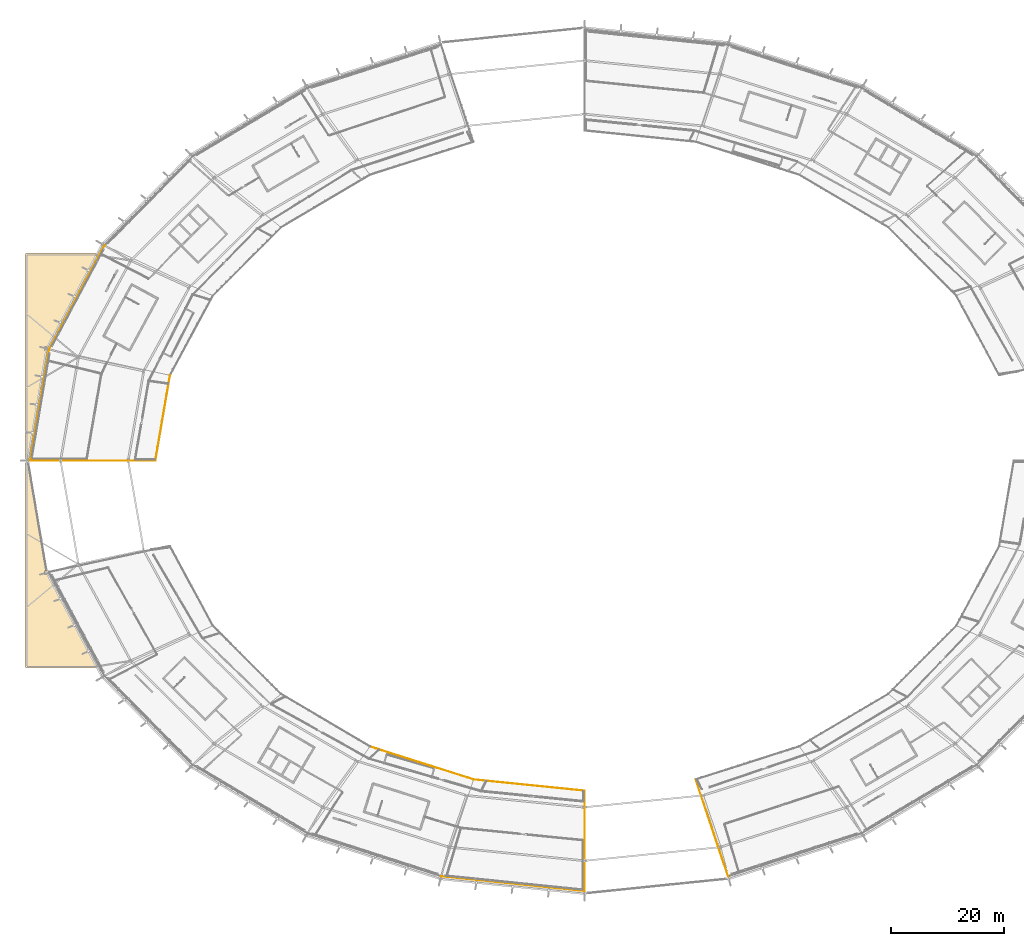
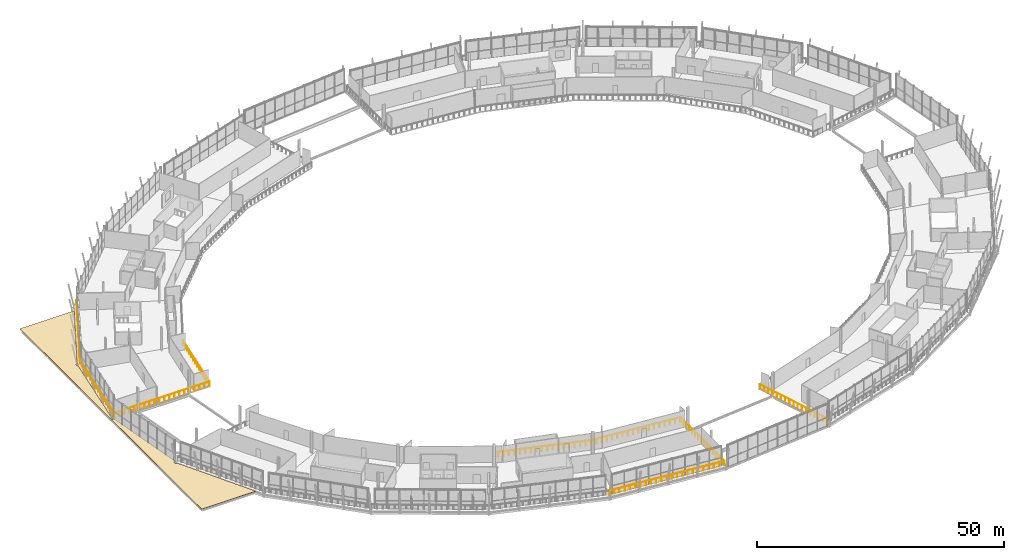
# One storey, part 94 of 99: 9 railings, 1 covering, 1 element without a shape of its own.
"""IFC4 building model written with IfcOpenShell, lengths in metres."""

from ifc_helpers import new_model, si_unit, direction, frame, origin, origin_2d, place, context, subcontext, project, spatial, polyline, rectangle, outline, extrude, material, layer, layer_set, type_object, element, aggregate, save


model = new_model("IFC4")

# Units and contexts
model_context = context("Model", 3, precision=1e-05, world=origin(), true_north=direction((0.0, 1.0)))
body_context = subcontext(model_context, "Body", "Model", "MODEL_VIEW")
ifc_project = project(units=[si_unit("LENGTHUNIT", "METRE"), si_unit("AREAUNIT", "SQUARE_METRE"), si_unit("VOLUMEUNIT", "CUBIC_METRE"), si_unit("PLANEANGLEUNIT", "RADIAN"), si_unit("MASSUNIT", "GRAM", prefix="KILO")], contexts=[model_context])

# Site, building, storey
site_placement = place(None, origin())
site = spatial("IfcSite", under=ifc_project, at=site_placement, CompositionType="ELEMENT")
building_placement = place(site_placement, origin())
building = spatial("IfcBuilding", under=site, at=building_placement, Name="Zlatoyarsky Gate Stadium", CompositionType="ELEMENT")
storey_placement = place(building_placement, frame((0.0, 0.0, 26.199951171875)))
storey = spatial("IfcBuildingStorey", under=building, at=storey_placement, Name="L05", CompositionType="ELEMENT", Elevation=26.199951171875)

# Railings
ifc_material_1 = material(Name="Powder-coated steel tubular guardrail", Category="steel")
railing_type = type_object("IfcRailingType", Name="CONCOURSE SLAB EDGE GUARDRAIL 1200", PredefinedType="GUARDRAIL", material=ifc_material_1)
railing_1_placement = place(storey_placement, frame((37.415771484375, 95.16162109375, 0.0)))
element("IfcRailing", 1, at=railing_1_placement, inside=storey, type_object=railing_type, Name="L05 inner bowl edge guardrail 11", PredefinedType="GUARDRAIL", context=body_context, shape_type="SweptSolid", body=[
    extrude(rectangle(XDim=0.048095703125, YDim=0.048095703125, at=origin_2d()), frame((0.0, 0.0, 1.17578125), z_axis=(-0.168747070892, -0.985659386434, 0.0), x_axis=(0.985659386434, -0.168747070892, 0.0)), (0.0, 0.0, 1.0), 15.38232421875),
    extrude(rectangle(XDim=0.0419921875, YDim=0.0419921875, at=origin_2d()), origin(), (0.0, 0.0, 1.0), 1.15185546875),
    extrude(rectangle(XDim=0.0419921875, YDim=0.0419921875, at=origin_2d()), frame((-0.19970703125, -1.166259765625, 0.0)), (0.0, 0.0, 1.0), 1.15185546875),
    extrude(rectangle(XDim=0.0419921875, YDim=0.0419921875, at=origin_2d()), frame((-0.3994140625, -2.33251953125, 0.0)), (0.0, 0.0, 1.0), 1.15185546875),
    extrude(rectangle(XDim=0.0419921875, YDim=0.0419921875, at=origin_2d()), frame((-0.59912109375, -3.498779296875, 0.0)), (0.0, 0.0, 1.0), 1.15185546875),
    extrude(rectangle(XDim=0.0419921875, YDim=0.0419921875, at=origin_2d()), frame((-0.798583984375, -4.6650390625, 0.0)), (0.0, 0.0, 1.0), 1.15185546875),
    extrude(rectangle(XDim=0.0419921875, YDim=0.0419921875, at=origin_2d()), frame((-0.998291015625, -5.831298828125, 0.0)), (0.0, 0.0, 1.0), 1.15185546875),
    extrude(rectangle(XDim=0.0419921875, YDim=0.0419921875, at=origin_2d()), frame((-1.197998046875, -6.99755859375, 0.0)), (0.0, 0.0, 1.0), 1.15185546875),
    extrude(rectangle(XDim=0.0419921875, YDim=0.0419921875, at=origin_2d()), frame((-1.397705078125, -8.1640625, 0.0)), (0.0, 0.0, 1.0), 1.15185546875),
    extrude(rectangle(XDim=0.0419921875, YDim=0.0419921875, at=origin_2d()), frame((-1.597412109375, -9.330322265625, 0.0)), (0.0, 0.0, 1.0), 1.15185546875),
    extrude(rectangle(XDim=0.0419921875, YDim=0.0419921875, at=origin_2d()), frame((-1.797119140625, -10.49658203125, 0.0)), (0.0, 0.0, 1.0), 1.15185546875),
    extrude(rectangle(XDim=0.0419921875, YDim=0.0419921875, at=origin_2d()), frame((-1.99658203125, -11.662841796875, 0.0)), (0.0, 0.0, 1.0), 1.15185546875),
    extrude(rectangle(XDim=0.0419921875, YDim=0.0419921875, at=origin_2d()), frame((-2.1962890625, -12.8291015625, 0.0)), (0.0, 0.0, 1.0), 1.15185546875),
    extrude(rectangle(XDim=0.0419921875, YDim=0.0419921875, at=origin_2d()), frame((-2.39599609375, -13.995361328125, 0.0)), (0.0, 0.0, 1.0), 1.15185546875),
    extrude(rectangle(XDim=0.0419921875, YDim=0.0419921875, at=origin_2d()), frame((-2.595703125, -15.16162109375, 0.0)), (0.0, 0.0, 1.0), 1.15185546875),
])
railing_2_placement = place(storey_placement, frame((72.909912109375, 29.268310546875, 0.0)))
element("IfcRailing", 2, at=railing_2_placement, inside=storey, type_object=railing_type, Name="L05 inner bowl edge guardrail 16", PredefinedType="GUARDRAIL", context=body_context, shape_type="SweptSolid", body=[
    extrude(rectangle(XDim=0.048095703125, YDim=0.048095703125, at=origin_2d()), frame((0.0, 0.0, 1.17578125), z_axis=(0.952832118887, -0.303497863612, 0.0), x_axis=(0.303497863612, 0.952832118887, 0.0)), (0.0, 0.0, 1.0), 19.28271484375),
    extrude(rectangle(XDim=0.0419921875, YDim=0.0419921875, at=origin_2d()), origin(), (0.0, 0.0, 1.0), 1.15185546875),
    extrude(rectangle(XDim=0.0419921875, YDim=0.0419921875, at=origin_2d()), frame((1.080810546875, -0.34423828125, 0.0)), (0.0, 0.0, 1.0), 1.15185546875),
    extrude(rectangle(XDim=0.0419921875, YDim=0.0419921875, at=origin_2d()), frame((2.16162109375, -0.6884765625, 0.0)), (0.0, 0.0, 1.0), 1.15185546875),
    extrude(rectangle(XDim=0.0419921875, YDim=0.0419921875, at=origin_2d()), frame((3.242431640625, -1.03271484375, 0.0)), (0.0, 0.0, 1.0), 1.15185546875),
    extrude(rectangle(XDim=0.0419921875, YDim=0.0419921875, at=origin_2d()), frame((4.3232421875, -1.376953125, 0.0)), (0.0, 0.0, 1.0), 1.15185546875),
    extrude(rectangle(XDim=0.0419921875, YDim=0.0419921875, at=origin_2d()), frame((5.40380859375, -1.72119140625, 0.0)), (0.0, 0.0, 1.0), 1.15185546875),
    extrude(rectangle(XDim=0.0419921875, YDim=0.0419921875, at=origin_2d()), frame((6.484619140625, -2.0654296875, 0.0)), (0.0, 0.0, 1.0), 1.15185546875),
    extrude(rectangle(XDim=0.0419921875, YDim=0.0419921875, at=origin_2d()), frame((7.5654296875, -2.40966796875, 0.0)), (0.0, 0.0, 1.0), 1.15185546875),
    extrude(rectangle(XDim=0.0419921875, YDim=0.0419921875, at=origin_2d()), frame((8.646240234375, -2.75390625, 0.0)), (0.0, 0.0, 1.0), 1.15185546875),
    extrude(rectangle(XDim=0.0419921875, YDim=0.0419921875, at=origin_2d()), frame((9.72705078125, -3.098388671875, 0.0)), (0.0, 0.0, 1.0), 1.15185546875),
    extrude(rectangle(XDim=0.0419921875, YDim=0.0419921875, at=origin_2d()), frame((10.807861328125, -3.442626953125, 0.0)), (0.0, 0.0, 1.0), 1.15185546875),
    extrude(rectangle(XDim=0.0419921875, YDim=0.0419921875, at=origin_2d()), frame((11.888671875, -3.786865234375, 0.0)), (0.0, 0.0, 1.0), 1.15185546875),
    extrude(rectangle(XDim=0.0419921875, YDim=0.0419921875, at=origin_2d()), frame((12.969482421875, -4.131103515625, 0.0)), (0.0, 0.0, 1.0), 1.15185546875),
    extrude(rectangle(XDim=0.0419921875, YDim=0.0419921875, at=origin_2d()), frame((14.050048828125, -4.475341796875, 0.0)), (0.0, 0.0, 1.0), 1.15185546875),
    extrude(rectangle(XDim=0.0419921875, YDim=0.0419921875, at=origin_2d()), frame((15.130859375, -4.819580078125, 0.0)), (0.0, 0.0, 1.0), 1.15185546875),
    extrude(rectangle(XDim=0.0419921875, YDim=0.0419921875, at=origin_2d()), frame((16.211669921875, -5.163818359375, 0.0)), (0.0, 0.0, 1.0), 1.15185546875),
    extrude(rectangle(XDim=0.0419921875, YDim=0.0419921875, at=origin_2d()), frame((17.29248046875, -5.508056640625, 0.0)), (0.0, 0.0, 1.0), 1.15185546875),
    extrude(rectangle(XDim=0.0419921875, YDim=0.0419921875, at=origin_2d()), frame((18.373291015625, -5.852294921875, 0.0)), (0.0, 0.0, 1.0), 1.15185546875),
])
railing_3_placement = place(storey_placement, frame((91.283203125, 23.416015625, 0.0)))
element("IfcRailing", 3, at=railing_3_placement, inside=storey, type_object=railing_type, Name="L05 inner bowl edge guardrail 17", PredefinedType="GUARDRAIL", context=body_context, shape_type="SweptSolid", body=[
    extrude(rectangle(XDim=0.048095703125, YDim=0.048095703125, at=origin_2d()), frame((0.0, 0.0, 1.17578125), z_axis=(0.99491446839, -0.100723386498, 0.0), x_axis=(0.100723386498, 0.99491446839, 0.0)), (0.0, 0.0, 1.0), 19.817626953125),
    extrude(rectangle(XDim=0.0419921875, YDim=0.0419921875, at=origin_2d()), origin(), (0.0, 0.0, 1.0), 1.15185546875),
    extrude(rectangle(XDim=0.0419921875, YDim=0.0419921875, at=origin_2d()), frame((1.159912109375, -0.117431640625, 0.0)), (0.0, 0.0, 1.0), 1.15185546875),
    extrude(rectangle(XDim=0.0419921875, YDim=0.0419921875, at=origin_2d()), frame((2.319580078125, -0.23486328125, 0.0)), (0.0, 0.0, 1.0), 1.15185546875),
    extrude(rectangle(XDim=0.0419921875, YDim=0.0419921875, at=origin_2d()), frame((3.4794921875, -0.352294921875, 0.0)), (0.0, 0.0, 1.0), 1.15185546875),
    extrude(rectangle(XDim=0.0419921875, YDim=0.0419921875, at=origin_2d()), frame((4.63916015625, -0.4697265625, 0.0)), (0.0, 0.0, 1.0), 1.15185546875),
    extrude(rectangle(XDim=0.0419921875, YDim=0.0419921875, at=origin_2d()), frame((5.799072265625, -0.587158203125, 0.0)), (0.0, 0.0, 1.0), 1.15185546875),
    extrude(rectangle(XDim=0.0419921875, YDim=0.0419921875, at=origin_2d()), frame((6.958984375, -0.70458984375, 0.0)), (0.0, 0.0, 1.0), 1.15185546875),
    extrude(rectangle(XDim=0.0419921875, YDim=0.0419921875, at=origin_2d()), frame((8.11865234375, -0.822021484375, 0.0)), (0.0, 0.0, 1.0), 1.15185546875),
    extrude(rectangle(XDim=0.0419921875, YDim=0.0419921875, at=origin_2d()), frame((9.278564453125, -0.939453125, 0.0)), (0.0, 0.0, 1.0), 1.15185546875),
    extrude(rectangle(XDim=0.0419921875, YDim=0.0419921875, at=origin_2d()), frame((10.438232421875, -1.056640625, 0.0)), (0.0, 0.0, 1.0), 1.15185546875),
    extrude(rectangle(XDim=0.0419921875, YDim=0.0419921875, at=origin_2d()), frame((11.59814453125, -1.174072265625, 0.0)), (0.0, 0.0, 1.0), 1.15185546875),
    extrude(rectangle(XDim=0.0419921875, YDim=0.0419921875, at=origin_2d()), frame((12.7578125, -1.29150390625, 0.0)), (0.0, 0.0, 1.0), 1.15185546875),
    extrude(rectangle(XDim=0.0419921875, YDim=0.0419921875, at=origin_2d()), frame((13.917724609375, -1.408935546875, 0.0)), (0.0, 0.0, 1.0), 1.15185546875),
    extrude(rectangle(XDim=0.0419921875, YDim=0.0419921875, at=origin_2d()), frame((15.07763671875, -1.5263671875, 0.0)), (0.0, 0.0, 1.0), 1.15185546875),
    extrude(rectangle(XDim=0.0419921875, YDim=0.0419921875, at=origin_2d()), frame((16.2373046875, -1.643798828125, 0.0)), (0.0, 0.0, 1.0), 1.15185546875),
    extrude(rectangle(XDim=0.0419921875, YDim=0.0419921875, at=origin_2d()), frame((17.397216796875, -1.76123046875, 0.0)), (0.0, 0.0, 1.0), 1.15185546875),
    extrude(rectangle(XDim=0.0419921875, YDim=0.0419921875, at=origin_2d()), frame((18.556884765625, -1.878662109375, 0.0)), (0.0, 0.0, 1.0), 1.15185546875),
    extrude(rectangle(XDim=0.0419921875, YDim=0.0419921875, at=origin_2d()), frame((19.716796875, -1.99609375, 0.0)), (0.0, 0.0, 1.0), 1.15185546875),
])
railing_4_placement = place(storey_placement, frame((25.802001953125, 118.18896484375, 0.0)))
element("IfcRailing", 4, at=railing_4_placement, inside=storey, type_object=railing_type, Name="L05 outer slab edge guardrail 10", PredefinedType="GUARDRAIL", context=body_context, shape_type="SweptSolid", body=[
    extrude(rectangle(XDim=0.048095703125, YDim=0.048095703125, at=origin_2d()), frame((0.0, 0.0, 1.17578125), z_axis=(-0.470715076783, -0.882285280671, 0.0), x_axis=(0.882285280671, -0.470715076783, 0.0)), (0.0, 0.0, 1.0), 20.878662109375),
    extrude(rectangle(XDim=0.0419921875, YDim=0.0419921875, at=origin_2d()), origin(), (0.0, 0.0, 1.0), 1.15185546875),
    extrude(rectangle(XDim=0.0419921875, YDim=0.0419921875, at=origin_2d()), frame((-0.5458984375, -1.0234375, 0.0)), (0.0, 0.0, 1.0), 1.15185546875),
    extrude(rectangle(XDim=0.0419921875, YDim=0.0419921875, at=origin_2d()), frame((-1.092041015625, -2.046875, 0.0)), (0.0, 0.0, 1.0), 1.15185546875),
    extrude(rectangle(XDim=0.0419921875, YDim=0.0419921875, at=origin_2d()), frame((-1.637939453125, -3.070068359375, 0.0)), (0.0, 0.0, 1.0), 1.15185546875),
    extrude(rectangle(XDim=0.0419921875, YDim=0.0419921875, at=origin_2d()), frame((-2.18408203125, -4.093505859375, 0.0)), (0.0, 0.0, 1.0), 1.15185546875),
    extrude(rectangle(XDim=0.0419921875, YDim=0.0419921875, at=origin_2d()), frame((-2.72998046875, -5.116943359375, 0.0)), (0.0, 0.0, 1.0), 1.15185546875),
    extrude(rectangle(XDim=0.0419921875, YDim=0.0419921875, at=origin_2d()), frame((-3.27587890625, -6.140380859375, 0.0)), (0.0, 0.0, 1.0), 1.15185546875),
    extrude(rectangle(XDim=0.0419921875, YDim=0.0419921875, at=origin_2d()), frame((-3.822021484375, -7.16357421875, 0.0)), (0.0, 0.0, 1.0), 1.15185546875),
    extrude(rectangle(XDim=0.0419921875, YDim=0.0419921875, at=origin_2d()), frame((-4.367919921875, -8.18701171875, 0.0)), (0.0, 0.0, 1.0), 1.15185546875),
    extrude(rectangle(XDim=0.0419921875, YDim=0.0419921875, at=origin_2d()), frame((-4.9140625, -9.21044921875, 0.0)), (0.0, 0.0, 1.0), 1.15185546875),
    extrude(rectangle(XDim=0.0419921875, YDim=0.0419921875, at=origin_2d()), frame((-5.4599609375, -10.23388671875, 0.0)), (0.0, 0.0, 1.0), 1.15185546875),
    extrude(rectangle(XDim=0.0419921875, YDim=0.0419921875, at=origin_2d()), frame((-6.005859375, -11.25732421875, 0.0)), (0.0, 0.0, 1.0), 1.15185546875),
    extrude(rectangle(XDim=0.0419921875, YDim=0.0419921875, at=origin_2d()), frame((-6.552001953125, -12.280517578125, 0.0)), (0.0, 0.0, 1.0), 1.15185546875),
    extrude(rectangle(XDim=0.0419921875, YDim=0.0419921875, at=origin_2d()), frame((-7.097900390625, -13.303955078125, 0.0)), (0.0, 0.0, 1.0), 1.15185546875),
    extrude(rectangle(XDim=0.0419921875, YDim=0.0419921875, at=origin_2d()), frame((-7.643798828125, -14.327392578125, 0.0)), (0.0, 0.0, 1.0), 1.15185546875),
    extrude(rectangle(XDim=0.0419921875, YDim=0.0419921875, at=origin_2d()), frame((-8.18994140625, -15.350830078125, 0.0)), (0.0, 0.0, 1.0), 1.15185546875),
    extrude(rectangle(XDim=0.0419921875, YDim=0.0419921875, at=origin_2d()), frame((-8.73583984375, -16.3740234375, 0.0)), (0.0, 0.0, 1.0), 1.15185546875),
    extrude(rectangle(XDim=0.0419921875, YDim=0.0419921875, at=origin_2d()), frame((-9.281982421875, -17.3974609375, 0.0)), (0.0, 0.0, 1.0), 1.15185546875),
    extrude(rectangle(XDim=0.0419921875, YDim=0.0419921875, at=origin_2d()), frame((-9.827880859375, -18.4208984375, 0.0)), (0.0, 0.0, 1.0), 1.15185546875),
])
railing_5_placement = place(storey_placement, frame((15.97412109375, 99.76806640625, 0.0)))
element("IfcRailing", 5, at=railing_5_placement, inside=storey, type_object=railing_type, Name="L05 outer slab edge guardrail 11", PredefinedType="GUARDRAIL", context=body_context, shape_type="SweptSolid", body=[
    extrude(rectangle(XDim=0.048095703125, YDim=0.048095703125, at=origin_2d()), frame((0.0, 0.0, 1.17578125), z_axis=(-0.167194294014, -0.985923966667, 0.0), x_axis=(0.985923966667, -0.167194294014, 0.0)), (0.0, 0.0, 1.0), 20.05029296875),
    extrude(rectangle(XDim=0.0419921875, YDim=0.0419921875, at=origin_2d()), origin(), (0.0, 0.0, 1.0), 1.15185546875),
    extrude(rectangle(XDim=0.0419921875, YDim=0.0419921875, at=origin_2d()), frame((-0.197265625, -1.162841796875, 0.0)), (0.0, 0.0, 1.0), 1.15185546875),
    extrude(rectangle(XDim=0.0419921875, YDim=0.0419921875, at=origin_2d()), frame((-0.394287109375, -2.32568359375, 0.0)), (0.0, 0.0, 1.0), 1.15185546875),
    extrude(rectangle(XDim=0.0419921875, YDim=0.0419921875, at=origin_2d()), frame((-0.591552734375, -3.488525390625, 0.0)), (0.0, 0.0, 1.0), 1.15185546875),
    extrude(rectangle(XDim=0.0419921875, YDim=0.0419921875, at=origin_2d()), frame((-0.788818359375, -4.6513671875, 0.0)), (0.0, 0.0, 1.0), 1.15185546875),
    extrude(rectangle(XDim=0.0419921875, YDim=0.0419921875, at=origin_2d()), frame((-0.986083984375, -5.814208984375, 0.0)), (0.0, 0.0, 1.0), 1.15185546875),
    extrude(rectangle(XDim=0.0419921875, YDim=0.0419921875, at=origin_2d()), frame((-1.18310546875, -6.97705078125, 0.0)), (0.0, 0.0, 1.0), 1.15185546875),
    extrude(rectangle(XDim=0.0419921875, YDim=0.0419921875, at=origin_2d()), frame((-1.38037109375, -8.139892578125, 0.0)), (0.0, 0.0, 1.0), 1.15185546875),
    extrude(rectangle(XDim=0.0419921875, YDim=0.0419921875, at=origin_2d()), frame((-1.57763671875, -9.302734375, 0.0)), (0.0, 0.0, 1.0), 1.15185546875),
    extrude(rectangle(XDim=0.0419921875, YDim=0.0419921875, at=origin_2d()), frame((-1.774658203125, -10.46533203125, 0.0)), (0.0, 0.0, 1.0), 1.15185546875),
    extrude(rectangle(XDim=0.0419921875, YDim=0.0419921875, at=origin_2d()), frame((-1.971923828125, -11.628173828125, 0.0)), (0.0, 0.0, 1.0), 1.15185546875),
    extrude(rectangle(XDim=0.0419921875, YDim=0.0419921875, at=origin_2d()), frame((-2.169189453125, -12.791015625, 0.0)), (0.0, 0.0, 1.0), 1.15185546875),
    extrude(rectangle(XDim=0.0419921875, YDim=0.0419921875, at=origin_2d()), frame((-2.3662109375, -13.953857421875, 0.0)), (0.0, 0.0, 1.0), 1.15185546875),
    extrude(rectangle(XDim=0.0419921875, YDim=0.0419921875, at=origin_2d()), frame((-2.5634765625, -15.11669921875, 0.0)), (0.0, 0.0, 1.0), 1.15185546875),
    extrude(rectangle(XDim=0.0419921875, YDim=0.0419921875, at=origin_2d()), frame((-2.7607421875, -16.279541015625, 0.0)), (0.0, 0.0, 1.0), 1.15185546875),
    extrude(rectangle(XDim=0.0419921875, YDim=0.0419921875, at=origin_2d()), frame((-2.9580078125, -17.4423828125, 0.0)), (0.0, 0.0, 1.0), 1.15185546875),
    extrude(rectangle(XDim=0.0419921875, YDim=0.0419921875, at=origin_2d()), frame((-3.155029296875, -18.605224609375, 0.0)), (0.0, 0.0, 1.0), 1.15185546875),
    extrude(rectangle(XDim=0.0419921875, YDim=0.0419921875, at=origin_2d()), frame((-3.352294921875, -19.76806640625, 0.0)), (0.0, 0.0, 1.0), 1.15185546875),
])
railing_6_placement = place(storey_placement, frame((85.537841796875, 6.224365234375, 0.0)))
element("IfcRailing", 6, at=railing_6_placement, inside=storey, type_object=railing_type, Name="L05 outer slab edge guardrail 17", PredefinedType="GUARDRAIL", context=body_context, shape_type="SweptSolid", body=[
    extrude(rectangle(XDim=0.048095703125, YDim=0.048095703125, at=origin_2d()), frame((0.0, 0.0, 1.17578125), z_axis=(0.994816926394, -0.101682264729, 0.0), x_axis=(0.101682264729, 0.994816926394, 0.0)), (0.0, 0.0, 1.0), 25.5947265625),
    extrude(rectangle(XDim=0.0419921875, YDim=0.0419921875, at=origin_2d()), origin(), (0.0, 0.0, 1.0), 1.15185546875),
    extrude(rectangle(XDim=0.0419921875, YDim=0.0419921875, at=origin_2d()), frame((1.157470703125, -0.118408203125, 0.0)), (0.0, 0.0, 1.0), 1.15185546875),
    extrude(rectangle(XDim=0.0419921875, YDim=0.0419921875, at=origin_2d()), frame((2.314697265625, -0.236572265625, 0.0)), (0.0, 0.0, 1.0), 1.15185546875),
    extrude(rectangle(XDim=0.0419921875, YDim=0.0419921875, at=origin_2d()), frame((3.47216796875, -0.35498046875, 0.0)), (0.0, 0.0, 1.0), 1.15185546875),
    extrude(rectangle(XDim=0.0419921875, YDim=0.0419921875, at=origin_2d()), frame((4.62939453125, -0.47314453125, 0.0)), (0.0, 0.0, 1.0), 1.15185546875),
    extrude(rectangle(XDim=0.0419921875, YDim=0.0419921875, at=origin_2d()), frame((5.786865234375, -0.591552734375, 0.0)), (0.0, 0.0, 1.0), 1.15185546875),
    extrude(rectangle(XDim=0.0419921875, YDim=0.0419921875, at=origin_2d()), frame((6.9443359375, -0.709716796875, 0.0)), (0.0, 0.0, 1.0), 1.15185546875),
    extrude(rectangle(XDim=0.0419921875, YDim=0.0419921875, at=origin_2d()), frame((8.1015625, -0.828125, 0.0)), (0.0, 0.0, 1.0), 1.15185546875),
    extrude(rectangle(XDim=0.0419921875, YDim=0.0419921875, at=origin_2d()), frame((9.259033203125, -0.9462890625, 0.0)), (0.0, 0.0, 1.0), 1.15185546875),
    extrude(rectangle(XDim=0.0419921875, YDim=0.0419921875, at=origin_2d()), frame((10.416259765625, -1.064697265625, 0.0)), (0.0, 0.0, 1.0), 1.15185546875),
    extrude(rectangle(XDim=0.0419921875, YDim=0.0419921875, at=origin_2d()), frame((11.57373046875, -1.182861328125, 0.0)), (0.0, 0.0, 1.0), 1.15185546875),
    extrude(rectangle(XDim=0.0419921875, YDim=0.0419921875, at=origin_2d()), frame((12.73095703125, -1.30126953125, 0.0)), (0.0, 0.0, 1.0), 1.15185546875),
    extrude(rectangle(XDim=0.0419921875, YDim=0.0419921875, at=origin_2d()), frame((13.888427734375, -1.419677734375, 0.0)), (0.0, 0.0, 1.0), 1.15185546875),
    extrude(rectangle(XDim=0.0419921875, YDim=0.0419921875, at=origin_2d()), frame((15.0458984375, -1.537841796875, 0.0)), (0.0, 0.0, 1.0), 1.15185546875),
    extrude(rectangle(XDim=0.0419921875, YDim=0.0419921875, at=origin_2d()), frame((16.203125, -1.65625, 0.0)), (0.0, 0.0, 1.0), 1.15185546875),
    extrude(rectangle(XDim=0.0419921875, YDim=0.0419921875, at=origin_2d()), frame((17.360595703125, -1.7744140625, 0.0)), (0.0, 0.0, 1.0), 1.15185546875),
    extrude(rectangle(XDim=0.0419921875, YDim=0.0419921875, at=origin_2d()), frame((18.517822265625, -1.892822265625, 0.0)), (0.0, 0.0, 1.0), 1.15185546875),
    extrude(rectangle(XDim=0.0419921875, YDim=0.0419921875, at=origin_2d()), frame((19.67529296875, -2.010986328125, 0.0)), (0.0, 0.0, 1.0), 1.15185546875),
    extrude(rectangle(XDim=0.0419921875, YDim=0.0419921875, at=origin_2d()), frame((20.832763671875, -2.12939453125, 0.0)), (0.0, 0.0, 1.0), 1.15185546875),
    extrude(rectangle(XDim=0.0419921875, YDim=0.0419921875, at=origin_2d()), frame((21.989990234375, -2.24755859375, 0.0)), (0.0, 0.0, 1.0), 1.15185546875),
    extrude(rectangle(XDim=0.0419921875, YDim=0.0419921875, at=origin_2d()), frame((23.1474609375, -2.365966796875, 0.0)), (0.0, 0.0, 1.0), 1.15185546875),
    extrude(rectangle(XDim=0.0419921875, YDim=0.0419921875, at=origin_2d()), frame((24.3046875, -2.484130859375, 0.0)), (0.0, 0.0, 1.0), 1.15185546875),
    extrude(rectangle(XDim=0.0419921875, YDim=0.0419921875, at=origin_2d()), frame((25.462158203125, -2.6025390625, 0.0)), (0.0, 0.0, 1.0), 1.15185546875),
])
railing_7_placement = place(storey_placement, frame((34.800048828125, 80.0, 0.0)))
element("IfcRailing", 7, at=railing_7_placement, inside=storey, type_object=railing_type, Name="L05 gate arch radial guardrail 12A", PredefinedType="GUARDRAIL", context=body_context, shape_type="SweptSolid", body=[
    extrude(rectangle(XDim=0.048095703125, YDim=0.048095703125, at=origin_2d()), frame((0.0, 0.0, 1.17578125), z_axis=(-1.0, 0.0, 0.0), x_axis=(0.0, -1.0, 0.0)), (0.0, 0.0, 1.0), 22.17822265625),
    extrude(rectangle(XDim=0.0419921875, YDim=0.0419921875, at=origin_2d()), origin(), (0.0, 0.0, 1.0), 1.15185546875),
    extrude(rectangle(XDim=0.0419921875, YDim=0.0419921875, at=origin_2d()), frame((-1.167236328125, 0.0, 0.0)), (0.0, 0.0, 1.0), 1.15185546875),
    extrude(rectangle(XDim=0.0419921875, YDim=0.0419921875, at=origin_2d()), frame((-2.33447265625, 0.0, 0.0)), (0.0, 0.0, 1.0), 1.15185546875),
    extrude(rectangle(XDim=0.0419921875, YDim=0.0419921875, at=origin_2d()), frame((-3.501708984375, 0.0, 0.0)), (0.0, 0.0, 1.0), 1.15185546875),
    extrude(rectangle(XDim=0.0419921875, YDim=0.0419921875, at=origin_2d()), frame((-4.669189453125, 0.0, 0.0)), (0.0, 0.0, 1.0), 1.15185546875),
    extrude(rectangle(XDim=0.0419921875, YDim=0.0419921875, at=origin_2d()), frame((-5.83642578125, 0.0, 0.0)), (0.0, 0.0, 1.0), 1.15185546875),
    extrude(rectangle(XDim=0.0419921875, YDim=0.0419921875, at=origin_2d()), frame((-7.003662109375, 0.0, 0.0)), (0.0, 0.0, 1.0), 1.15185546875),
    extrude(rectangle(XDim=0.0419921875, YDim=0.0419921875, at=origin_2d()), frame((-8.1708984375, 0.0, 0.0)), (0.0, 0.0, 1.0), 1.15185546875),
    extrude(rectangle(XDim=0.0419921875, YDim=0.0419921875, at=origin_2d()), frame((-9.338134765625, 0.0, 0.0)), (0.0, 0.0, 1.0), 1.15185546875),
    extrude(rectangle(XDim=0.0419921875, YDim=0.0419921875, at=origin_2d()), frame((-10.50537109375, 0.0, 0.0)), (0.0, 0.0, 1.0), 1.15185546875),
    extrude(rectangle(XDim=0.0419921875, YDim=0.0419921875, at=origin_2d()), frame((-11.6728515625, 0.0, 0.0)), (0.0, 0.0, 1.0), 1.15185546875),
    extrude(rectangle(XDim=0.0419921875, YDim=0.0419921875, at=origin_2d()), frame((-12.840087890625, 0.0, 0.0)), (0.0, 0.0, 1.0), 1.15185546875),
    extrude(rectangle(XDim=0.0419921875, YDim=0.0419921875, at=origin_2d()), frame((-14.00732421875, 0.0, 0.0)), (0.0, 0.0, 1.0), 1.15185546875),
    extrude(rectangle(XDim=0.0419921875, YDim=0.0419921875, at=origin_2d()), frame((-15.174560546875, 0.0, 0.0)), (0.0, 0.0, 1.0), 1.15185546875),
    extrude(rectangle(XDim=0.0419921875, YDim=0.0419921875, at=origin_2d()), frame((-16.341796875, 0.0, 0.0)), (0.0, 0.0, 1.0), 1.15185546875),
    extrude(rectangle(XDim=0.0419921875, YDim=0.0419921875, at=origin_2d()), frame((-17.509033203125, 0.0, 0.0)), (0.0, 0.0, 1.0), 1.15185546875),
    extrude(rectangle(XDim=0.0419921875, YDim=0.0419921875, at=origin_2d()), frame((-18.676513671875, 0.0, 0.0)), (0.0, 0.0, 1.0), 1.15185546875),
    extrude(rectangle(XDim=0.0419921875, YDim=0.0419921875, at=origin_2d()), frame((-19.84375, 0.0, 0.0)), (0.0, 0.0, 1.0), 1.15185546875),
    extrude(rectangle(XDim=0.0419921875, YDim=0.0419921875, at=origin_2d()), frame((-21.010986328125, 0.0, 0.0)), (0.0, 0.0, 1.0), 1.15185546875),
    extrude(rectangle(XDim=0.0419921875, YDim=0.0419921875, at=origin_2d()), frame((-22.17822265625, 0.0, 0.0)), (0.0, 0.0, 1.0), 1.15185546875),
])
railing_8_placement = place(storey_placement, frame((111.0, 21.39990234375, 0.0)))
element("IfcRailing", 8, at=railing_8_placement, inside=storey, type_object=railing_type, Name="L05 gate arch radial guardrail 18A", PredefinedType="GUARDRAIL", context=body_context, shape_type="SweptSolid", body=[
    extrude(rectangle(XDim=0.048095703125, YDim=0.048095703125, at=origin_2d()), frame((0.0, 0.0, 1.17578125), z_axis=(0.0, -1.0, 0.0), x_axis=(1.0, 0.0, 0.0)), (0.0, 0.0, 1.0), 17.778076171875),
    extrude(rectangle(XDim=0.0419921875, YDim=0.0419921875, at=origin_2d()), origin(), (0.0, 0.0, 1.0), 1.15185546875),
    extrude(rectangle(XDim=0.0419921875, YDim=0.0419921875, at=origin_2d()), frame((0.0, -1.185302734375, 0.0)), (0.0, 0.0, 1.0), 1.15185546875),
    extrude(rectangle(XDim=0.0419921875, YDim=0.0419921875, at=origin_2d()), frame((0.0, -2.370361328125, 0.0)), (0.0, 0.0, 1.0), 1.15185546875),
    extrude(rectangle(XDim=0.0419921875, YDim=0.0419921875, at=origin_2d()), frame((0.0, -3.5556640625, 0.0)), (0.0, 0.0, 1.0), 1.15185546875),
    extrude(rectangle(XDim=0.0419921875, YDim=0.0419921875, at=origin_2d()), frame((0.0, -4.74072265625, 0.0)), (0.0, 0.0, 1.0), 1.15185546875),
    extrude(rectangle(XDim=0.0419921875, YDim=0.0419921875, at=origin_2d()), frame((0.0, -5.926025390625, 0.0)), (0.0, 0.0, 1.0), 1.15185546875),
    extrude(rectangle(XDim=0.0419921875, YDim=0.0419921875, at=origin_2d()), frame((0.0, -7.111328125, 0.0)), (0.0, 0.0, 1.0), 1.15185546875),
    extrude(rectangle(XDim=0.0419921875, YDim=0.0419921875, at=origin_2d()), frame((0.0, -8.29638671875, 0.0)), (0.0, 0.0, 1.0), 1.15185546875),
    extrude(rectangle(XDim=0.0419921875, YDim=0.0419921875, at=origin_2d()), frame((0.0, -9.481689453125, 0.0)), (0.0, 0.0, 1.0), 1.15185546875),
    extrude(rectangle(XDim=0.0419921875, YDim=0.0419921875, at=origin_2d()), frame((0.0, -10.666748046875, 0.0)), (0.0, 0.0, 1.0), 1.15185546875),
    extrude(rectangle(XDim=0.0419921875, YDim=0.0419921875, at=origin_2d()), frame((0.0, -11.85205078125, 0.0)), (0.0, 0.0, 1.0), 1.15185546875),
    extrude(rectangle(XDim=0.0419921875, YDim=0.0419921875, at=origin_2d()), frame((0.0, -13.037353515625, 0.0)), (0.0, 0.0, 1.0), 1.15185546875),
    extrude(rectangle(XDim=0.0419921875, YDim=0.0419921875, at=origin_2d()), frame((0.0, -14.222412109375, 0.0)), (0.0, 0.0, 1.0), 1.15185546875),
    extrude(rectangle(XDim=0.0419921875, YDim=0.0419921875, at=origin_2d()), frame((0.0, -15.40771484375, 0.0)), (0.0, 0.0, 1.0), 1.15185546875),
    extrude(rectangle(XDim=0.0419921875, YDim=0.0419921875, at=origin_2d()), frame((0.0, -16.5927734375, 0.0)), (0.0, 0.0, 1.0), 1.15185546875),
    extrude(rectangle(XDim=0.0419921875, YDim=0.0419921875, at=origin_2d()), frame((0.0, -17.778076171875, 0.0)), (0.0, 0.0, 1.0), 1.15185546875),
])
railing_9_placement = place(storey_placement, frame((130.721923828125, 23.396728515625, 0.0)))
element("IfcRailing", 9, at=railing_9_placement, inside=storey, type_object=railing_type, Name="L05 gate arch radial guardrail 18B", PredefinedType="GUARDRAIL", context=body_context, shape_type="SweptSolid", body=[
    extrude(rectangle(XDim=0.048095703125, YDim=0.048095703125, at=origin_2d()), frame((0.0, 0.0, 1.17578125), z_axis=(0.31702858467, -0.948415982838, 0.0), x_axis=(0.948415982838, 0.31702858467, 0.0)), (0.0, 0.0, 1.0), 18.1064453125),
    extrude(rectangle(XDim=0.0419921875, YDim=0.0419921875, at=origin_2d()), origin(), (0.0, 0.0, 1.0), 1.15185546875),
    extrude(rectangle(XDim=0.0419921875, YDim=0.0419921875, at=origin_2d()), frame((0.35888671875, -1.0732421875, 0.0)), (0.0, 0.0, 1.0), 1.15185546875),
    extrude(rectangle(XDim=0.0419921875, YDim=0.0419921875, at=origin_2d()), frame((0.717529296875, -2.146484375, 0.0)), (0.0, 0.0, 1.0), 1.15185546875),
    extrude(rectangle(XDim=0.0419921875, YDim=0.0419921875, at=origin_2d()), frame((1.076171875, -3.2197265625, 0.0)), (0.0, 0.0, 1.0), 1.15185546875),
    extrude(rectangle(XDim=0.0419921875, YDim=0.0419921875, at=origin_2d()), frame((1.43505859375, -4.29296875, 0.0)), (0.0, 0.0, 1.0), 1.15185546875),
    extrude(rectangle(XDim=0.0419921875, YDim=0.0419921875, at=origin_2d()), frame((1.7939453125, -5.366455078125, 0.0)), (0.0, 0.0, 1.0), 1.15185546875),
    extrude(rectangle(XDim=0.0419921875, YDim=0.0419921875, at=origin_2d()), frame((2.152587890625, -6.439697265625, 0.0)), (0.0, 0.0, 1.0), 1.15185546875),
    extrude(rectangle(XDim=0.0419921875, YDim=0.0419921875, at=origin_2d()), frame((2.51123046875, -7.512939453125, 0.0)), (0.0, 0.0, 1.0), 1.15185546875),
    extrude(rectangle(XDim=0.0419921875, YDim=0.0419921875, at=origin_2d()), frame((2.8701171875, -8.586181640625, 0.0)), (0.0, 0.0, 1.0), 1.15185546875),
    extrude(rectangle(XDim=0.0419921875, YDim=0.0419921875, at=origin_2d()), frame((3.22900390625, -9.659423828125, 0.0)), (0.0, 0.0, 1.0), 1.15185546875),
    extrude(rectangle(XDim=0.0419921875, YDim=0.0419921875, at=origin_2d()), frame((3.587646484375, -10.732666015625, 0.0)), (0.0, 0.0, 1.0), 1.15185546875),
    extrude(rectangle(XDim=0.0419921875, YDim=0.0419921875, at=origin_2d()), frame((3.9462890625, -11.805908203125, 0.0)), (0.0, 0.0, 1.0), 1.15185546875),
    extrude(rectangle(XDim=0.0419921875, YDim=0.0419921875, at=origin_2d()), frame((4.30517578125, -12.87939453125, 0.0)), (0.0, 0.0, 1.0), 1.15185546875),
    extrude(rectangle(XDim=0.0419921875, YDim=0.0419921875, at=origin_2d()), frame((4.6640625, -13.95263671875, 0.0)), (0.0, 0.0, 1.0), 1.15185546875),
    extrude(rectangle(XDim=0.0419921875, YDim=0.0419921875, at=origin_2d()), frame((5.022705078125, -15.02587890625, 0.0)), (0.0, 0.0, 1.0), 1.15185546875),
    extrude(rectangle(XDim=0.0419921875, YDim=0.0419921875, at=origin_2d()), frame((5.38134765625, -16.09912109375, 0.0)), (0.0, 0.0, 1.0), 1.15185546875),
    extrude(rectangle(XDim=0.0419921875, YDim=0.0419921875, at=origin_2d()), frame((5.740234375, -17.17236328125, 0.0)), (0.0, 0.0, 1.0), 1.15185546875),
])

# Roof, covering
ifc_material_2 = material(Name="Standing-seam aluminium-zinc roofing with mineral wool insulation", Category="aluminium")
ifc_layer_1 = layer(ifc_material_2, 0.080078125)
ifc_layer_set_1 = layer_set([ifc_layer_1], Name="Standing-seam aluminium-zinc roofing with mineral wool insulation")
roof_type = type_object("IfcRoofType", Name="WING GABLED STANDING SEAM ROOF ASSEMBLY", PredefinedType="GABLE_ROOF", material=ifc_layer_set_1)
roof_placement = place(storey_placement, origin())
roof = element("IfcRoof", 10, at=roof_placement, inside=storey, type_object=roof_type, Name="V4_WEST wing standing seam roof assembly", PredefinedType="GABLE_ROOF")
ifc_layer_2 = layer(ifc_material_2, 0.06005859375)
ifc_layer_set_2 = layer_set([ifc_layer_2], Name="Standing-seam aluminium-zinc roofing with mineral wool insulation")
covering_type = type_object("IfcCoveringType", Name="STANDING SEAM ALUMINIUM ZINC ROOFING 60", PredefinedType="ROOFING", material=ifc_layer_set_2)
covering_placement = place(storey_placement, frame((0.0, 0.0, -0.079833984375)))
covering = element("IfcCovering", 11, at=covering_placement, type_object=covering_type, Name="V4_WEST standing seam wing roofing 1", PredefinedType="ROOFING", context=body_context, shape_type="SweptSolid", body=[
    extrude(outline(polyline([(11.760009765625, 43.260009765625), (11.760009765625, 116.739990234375), (24.418701171875, 116.739990234375), (15.6162109375, 100.217529296875), (15.171142578125, 100.217529296875), (15.171142578125, 99.577392578125), (15.396240234375, 99.577392578125), (12.135498046875, 80.320068359375), (11.802001953125, 80.320068359375), (11.802001953125, 79.679931640625), (12.39599609375, 79.679931640625), (15.658935546875, 60.422607421875), (15.171142578125, 60.422607421875), (15.171142578125, 59.782470703125), (15.6162109375, 59.782470703125), (24.418701171875, 43.260009765625), (11.760009765625, 43.260009765625)])), origin(), (0.0, 0.0, 1.0), 0.059814453125),
])
aggregate(roof, [covering])

save(model, "model.ifc")
